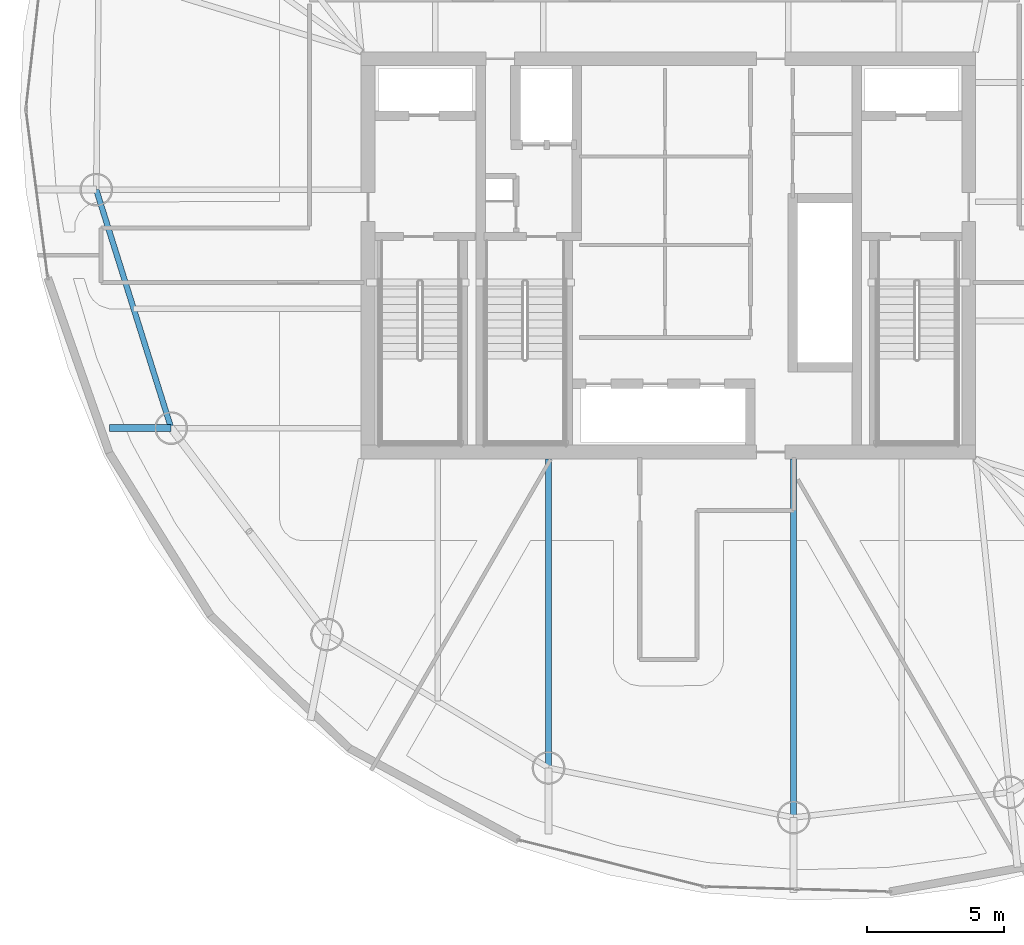
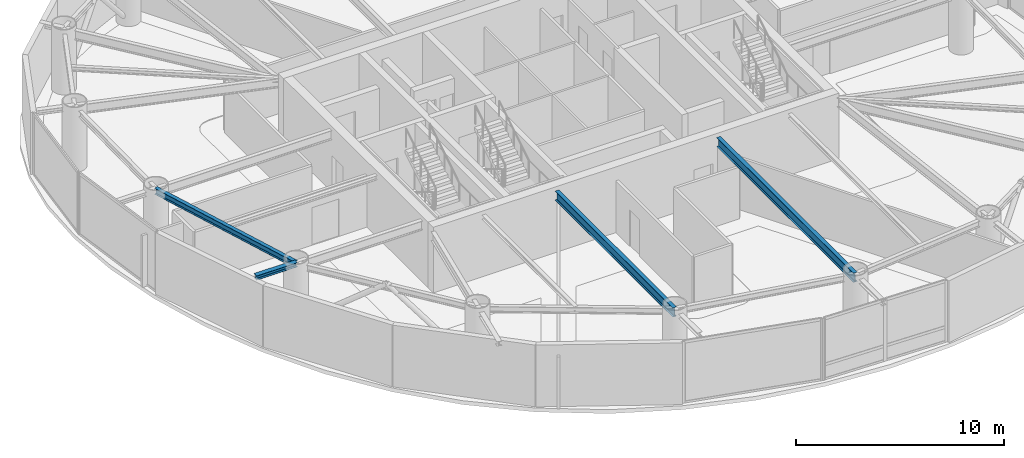
# One storey, part 3 of 20: 4 beams.
"""IFC4 building model written with IfcOpenShell, lengths in metres."""

from ifc_helpers import new_model, si_unit, direction, frame, origin, origin_2d, place, context, subcontext, project, spatial, i_section, extrude, material, material_profile, profile_set, type_object, element, save


model = new_model("IFC4")

# Units and contexts
model_context = context("Model", 3, precision=1e-05, world=origin(), true_north=direction((0.0, 1.0)))
body_context = subcontext(model_context, "Body", "Model", "MODEL_VIEW")
ifc_project = project(units=[si_unit("LENGTHUNIT", "METRE"), si_unit("AREAUNIT", "SQUARE_METRE"), si_unit("VOLUMEUNIT", "CUBIC_METRE"), si_unit("PLANEANGLEUNIT", "RADIAN"), si_unit("MASSUNIT", "GRAM", prefix="KILO")], contexts=[model_context])

# Site, building, storey
site_placement = place(None, origin())
site = spatial("IfcSite", under=ifc_project, at=site_placement, CompositionType="ELEMENT")
building_placement = place(site_placement, origin())
building = spatial("IfcBuilding", under=site, at=building_placement, Name="Bramvorn Convention Spire", CompositionType="ELEMENT")
storey_placement = place(building_placement, frame((0.0, 0.0, 175.050048828125)))
storey = spatial("IfcBuildingStorey", under=building, at=storey_placement, Name="L44", CompositionType="ELEMENT", Elevation=175.050048828125)

# Beams
ifc_material = material(Name="Steel CSA G40.21 Grade 350 (350W)", Category="steel")
ifc_material_profile_1 = material_profile(ifc_material, i_section(OverallWidth=0.25390625, OverallDepth=0.2529296875, WebThickness=0.008544921875, FlangeThickness=0.01416015625, FilletRadius=0.011962890625, at=origin_2d()))
ifc_profile_set_1 = profile_set([ifc_material_profile_1], Name="Steel CSA G40.21 Grade 350 (350W) - W250X73")
beam_type_1 = type_object("IfcBeamType", Name="BM-W250X73", PredefinedType="BEAM", material=ifc_profile_set_1)
beam_1_placement = place(storey_placement, frame((19.78955078125, 19.672607421875, 3.493408203125), z_axis=(-1.0, 0.0, 0.0), x_axis=(0.0, -1.0, 0.0)))
element("IfcBeam", 1, at=beam_1_placement, inside=storey, type_object=beam_type_1, Name="L44 slab-edge cantilever tip beam MC12", PredefinedType="BEAM", context=body_context, shape_type="SweptSolid", body=[
    extrude(i_section(OverallWidth=0.25390625, OverallDepth=0.2529296875, WebThickness=0.008544921875, FlangeThickness=0.01416015625, FilletRadius=0.011962890625, at=origin_2d()), origin(), (0.0, 0.0, 1.0), 2.26416015625),
])
ifc_material_profile_2 = material_profile(ifc_material, i_section(OverallWidth=0.205078125, OverallDepth=0.35400390625, WebThickness=0.009521484375, FlangeThickness=0.016845703125, FilletRadius=0.014892578125, at=origin_2d()))
ifc_profile_set_2 = profile_set([ifc_material_profile_2], Name="Steel CSA G40.21 Grade 350 (350W) - W360X79")
beam_type_2 = type_object("IfcBeamType", Name="BM-W360X79", PredefinedType="JOIST", material=ifc_profile_set_2)
beam_2_placement = place(storey_placement, frame((17.04541015625, 28.406494140625, 3.44287109375), z_axis=(0.299747542929, -0.954018558786, 0.0), x_axis=(0.954018558786, 0.299747542929, 0.0)))
element("IfcBeam", 2, at=beam_2_placement, inside=storey, type_object=beam_type_2, Name="L44 mega-column ring beam 11", PredefinedType="JOIST", context=body_context, shape_type="SweptSolid", body=[
    extrude(i_section(OverallWidth=0.205078125, OverallDepth=0.35400390625, WebThickness=0.009521484375, FlangeThickness=0.016845703125, FilletRadius=0.014892578125, at=origin_2d()), origin(), (0.0, 0.0, 1.0), 9.15478515625),
])
ifc_material_profile_3 = material_profile(ifc_material, i_section(OverallWidth=0.2119140625, OverallDepth=0.5439453125, WebThickness=0.01318359375, FlangeThickness=0.021240234375, FilletRadius=0.01904296875, at=origin_2d()))
ifc_profile_set_3 = profile_set([ifc_material_profile_3], Name="Steel CSA G40.21 Grade 350 (350W) - W530X123")
beam_type_3 = type_object("IfcBeamType", Name="BM-W530X123", PredefinedType="BEAM", material=ifc_profile_set_3)
beam_3_placement = place(storey_placement, frame((33.61083984375, 18.550048828125, 3.347900390625), z_axis=(0.0, -1.0, 0.0), x_axis=(1.0, 0.0, 0.0)))
element("IfcBeam", 3, at=beam_3_placement, inside=storey, type_object=beam_type_3, Name="L44 radial floor girder MC14", PredefinedType="BEAM", context=body_context, shape_type="SweptSolid", body=[
    extrude(i_section(OverallWidth=0.2119140625, OverallDepth=0.5439453125, WebThickness=0.01318359375, FlangeThickness=0.021240234375, FilletRadius=0.01904296875, at=origin_2d()), origin(), (0.0, 0.0, 1.0), 11.322265625),
])
beam_4_placement = place(storey_placement, frame((42.583740234375, 18.550048828125, 3.347900390625), z_axis=(0.0, -1.0, 0.0), x_axis=(1.0, 0.0, 0.0)))
element("IfcBeam", 4, at=beam_4_placement, inside=storey, type_object=beam_type_3, Name="L44 radial floor girder MC15", PredefinedType="BEAM", context=body_context, shape_type="SweptSolid", body=[
    extrude(i_section(OverallWidth=0.2119140625, OverallDepth=0.5439453125, WebThickness=0.01318359375, FlangeThickness=0.021240234375, FilletRadius=0.01904296875, at=origin_2d()), origin(), (0.0, 0.0, 1.0), 13.138427734375),
])

save(model, "model.ifc")
